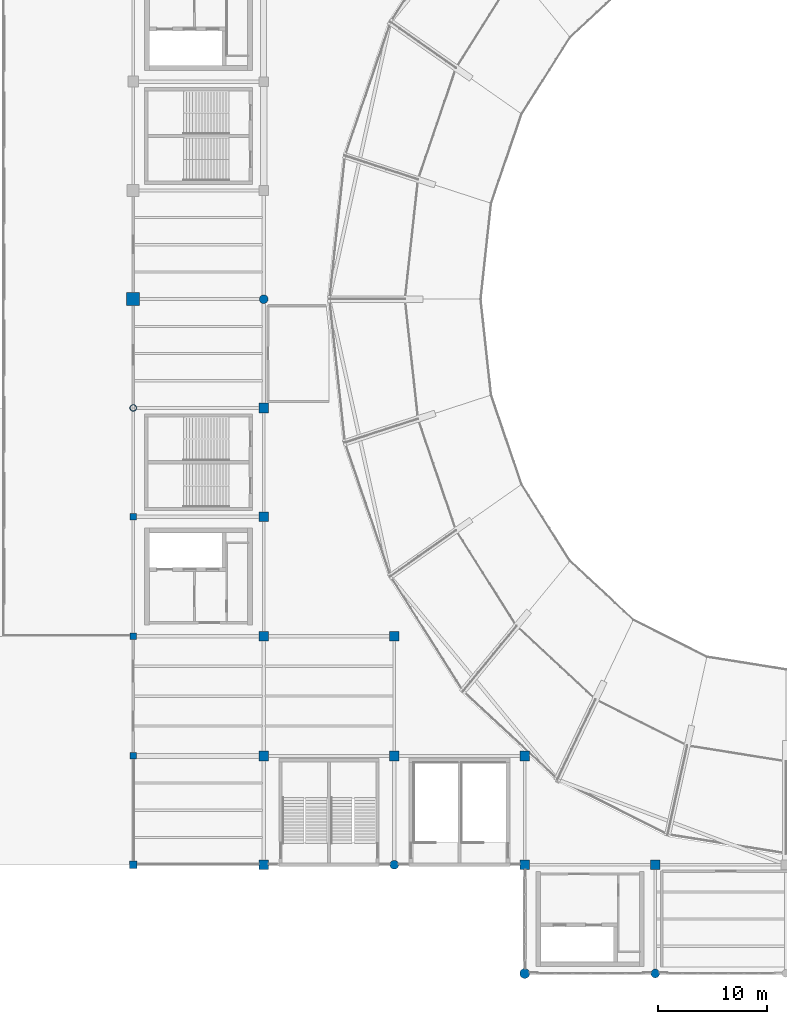
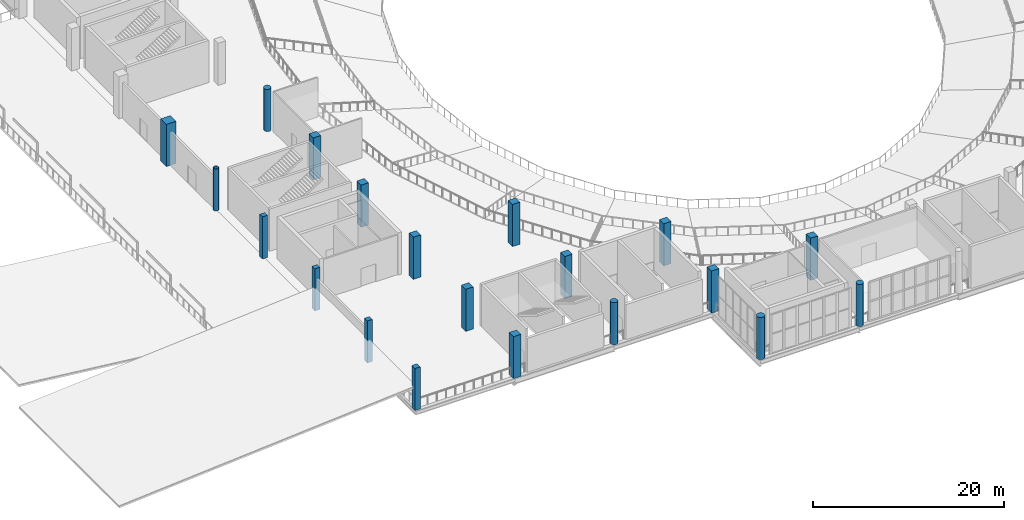
# One storey, part 1 of 74: 20 columns.
"""IFC4 building model written with IfcOpenShell, lengths in metres."""

from ifc_helpers import new_model, si_unit, direction, frame, origin, origin_2d, place, context, subcontext, project, spatial, rectangle, circle, hollow_circle, extrude, material, material_profile, profile_set, type_object, element, save


model = new_model("IFC4")

# Units and contexts
model_context = context("Model", 3, precision=1e-05, world=origin(), true_north=direction((0.0, 1.0)))
body_context = subcontext(model_context, "Body", "Model", "MODEL_VIEW")
ifc_project = project(units=[si_unit("LENGTHUNIT", "METRE"), si_unit("AREAUNIT", "SQUARE_METRE"), si_unit("VOLUMEUNIT", "CUBIC_METRE"), si_unit("PLANEANGLEUNIT", "RADIAN"), si_unit("MASSUNIT", "GRAM", prefix="KILO")], contexts=[model_context])

# Site, building, storey
site_placement = place(None, origin())
site = spatial("IfcSite", under=ifc_project, at=site_placement, CompositionType="ELEMENT")
building_placement = place(site_placement, origin())
building = spatial("IfcBuilding", under=site, at=building_placement, Name="Brinegate Civic Arena", CompositionType="ELEMENT")
storey_placement = place(building_placement, frame((0.0, 0.0, 19.199951171875)))
storey = spatial("IfcBuildingStorey", under=building, at=storey_placement, Name="L04", CompositionType="ELEMENT", Elevation=19.199951171875)

# Columns
ifc_material_1 = material(Name="Concrete C50/60", Category="concrete")
ifc_material_profile_1 = material_profile(ifc_material_1, rectangle(XDim=1.199951171875, YDim=1.199951171875, at=origin_2d()), Name="RC1200X1200")
ifc_profile_set_1 = profile_set([ifc_material_profile_1], Name="Concrete C50/60")
column_type_1 = type_object("IfcColumnType", Name="COL-CC01-1200", PredefinedType="COLUMN", material=ifc_profile_set_1)
column_1_placement = place(storey_placement, frame((48.0, 62.0, 0.0), z_axis=(0.0, 0.0, 1.0), x_axis=(1.0, 0.0, 0.0)))
element("IfcColumn", 1, at=column_1_placement, inside=storey, type_object=column_type_1, Name="Column COL-L04-5-G", PredefinedType="COLUMN", context=body_context, shape_type="SweptSolid", body=[
    extrude(rectangle(XDim=1.199951171875, YDim=1.199951171875, at=origin_2d()), origin(), (0.0, 0.0, 1.0), 5.400146484375),
])
ifc_material_profile_2 = material_profile(ifc_material_1, rectangle(XDim=0.89990234375, YDim=0.89990234375, at=origin_2d()), Name="RC900X900")
ifc_profile_set_2 = profile_set([ifc_material_profile_2], Name="Concrete C50/60")
column_type_2 = type_object("IfcColumnType", Name="COL-CC05-900", PredefinedType="COLUMN", material=ifc_profile_set_2)
for number, where, z_axis, x_axis, name in (
    (2, (60.0, 10.0, 0.0), (0.0, 0.0, 1.0), (1.0, 0.0, 0.0), "Column COL-L04-6-B"),
    (3, (60.0, 20.0, 0.0), (0.0, 0.0, 1.0), (1.0, 0.0, 0.0), "Column COL-L04-6-C"),
    (4, (60.0, 31.0, 0.0), (0.0, 0.0, 1.0), (1.0, 0.0, 0.0), "Column COL-L04-6-D"),
    (5, (60.0, 42.0, 0.0), (0.0, 0.0, 1.0), (1.0, 0.0, 0.0), "Column COL-L04-6-E"),
    (6, (60.0, 52.0, 0.0), (0.0, 0.0, 1.0), (1.0, 0.0, 0.0), "Column COL-L04-6-F"),
    (7, (72.0, 20.0, 0.0), (0.0, 0.0, 1.0), (1.0, 0.0, 0.0), "Column COL-L04-7-C"),
    (8, (72.0, 31.0, 0.0), (0.0, 0.0, 1.0), (1.0, 0.0, 0.0), "Column COL-L04-7-D"),
    (9, (84.0, 10.0, 0.0), (0.0, 0.0, 1.0), (1.0, 0.0, 0.0), "Column COL-L04-8-B"),
    (10, (84.0, 20.0, 0.0), (0.0, 0.0, 1.0), (1.0, 0.0, 0.0), "Column COL-L04-8-C"),
    (11, (96.0, 10.0, 0.0), (0.0, 0.0, 1.0), (1.0, 0.0, 0.0), "Column COL-L04-9-B"),
):
    element("IfcColumn", number, at=place(storey_placement, frame(where, z_axis=z_axis, x_axis=x_axis)), inside=storey, type_object=column_type_2, Name=name, PredefinedType="COLUMN", context=body_context, shape_type="SweptSolid", body=[
        extrude(rectangle(XDim=0.89990234375, YDim=0.89990234375, at=origin_2d()), origin(), (0.0, 0.0, 1.0), 5.400146484375),
    ])
ifc_material_profile_3 = material_profile(ifc_material_1, rectangle(XDim=0.64990234375, YDim=0.64990234375, at=origin_2d()), Name="RC650X650")
ifc_profile_set_3 = profile_set([ifc_material_profile_3], Name="Concrete C50/60")
column_type_3 = type_object("IfcColumnType", Name="COL-CC10-650", PredefinedType="COLUMN", material=ifc_profile_set_3)
column_2_placement = place(storey_placement, frame((48.0, 10.0, 0.0), z_axis=(0.0, 0.0, 1.0), x_axis=(1.0, 0.0, 0.0)))
element("IfcColumn", 12, at=column_2_placement, inside=storey, type_object=column_type_3, Name="Column COL-L04-5-B", PredefinedType="COLUMN", context=body_context, shape_type="SweptSolid", body=[
    extrude(rectangle(XDim=0.64990234375, YDim=0.64990234375, at=origin_2d()), origin(), (0.0, 0.0, 1.0), 5.400146484375),
])
ifc_material_profile_4 = material_profile(ifc_material_1, rectangle(XDim=0.60009765625, YDim=0.60009765625, at=origin_2d()), Name="RC600X600")
ifc_profile_set_4 = profile_set([ifc_material_profile_4], Name="Concrete C50/60")
column_type_4 = type_object("IfcColumnType", Name="COL-CC11-600", PredefinedType="COLUMN", material=ifc_profile_set_4)
for number, where, z_axis, x_axis, name in (
    (13, (48.0, 20.0, 0.0), (0.0, 0.0, 1.0), (1.0, 0.0, 0.0), "Column COL-L04-5-C"),
    (14, (48.0, 31.0, 0.0), (0.0, 0.0, 1.0), (1.0, 0.0, 0.0), "Column COL-L04-5-D"),
    (15, (48.0, 42.0, 0.0), (0.0, 0.0, 1.0), (1.0, 0.0, 0.0), "Column COL-L04-5-E"),
):
    element("IfcColumn", number, at=place(storey_placement, frame(where, z_axis=z_axis, x_axis=x_axis)), inside=storey, type_object=column_type_4, Name=name, PredefinedType="COLUMN", context=body_context, shape_type="SweptSolid", body=[
        extrude(rectangle(XDim=0.60009765625, YDim=0.60009765625, at=origin_2d()), origin(), (0.0, 0.0, 1.0), 5.400146484375),
    ])
ifc_material_profile_5 = material_profile(ifc_material_1, circle(Radius=0.449951171875, at=origin_2d()), Name="RCD900")
ifc_profile_set_5 = profile_set([ifc_material_profile_5], Name="Concrete C50/60")
column_type_5 = type_object("IfcColumnType", Name="COL-CC12-D900", PredefinedType="COLUMN", material=ifc_profile_set_5)
column_3_placement = place(storey_placement, frame((84.0, 0.0, 0.0), z_axis=(0.0, 0.0, 1.0), x_axis=(1.0, 0.0, 0.0)))
element("IfcColumn", 16, at=column_3_placement, inside=storey, type_object=column_type_5, Name="Column COL-L04-8-A", PredefinedType="COLUMN", context=body_context, shape_type="SweptSolid", body=[
    extrude(circle(Radius=0.449951171875, at=origin_2d()), origin(), (0.0, 0.0, 1.0), 5.400146484375),
])
ifc_material_profile_6 = material_profile(ifc_material_1, circle(Radius=0.39990234375, at=origin_2d()), Name="RCD800")
ifc_profile_set_6 = profile_set([ifc_material_profile_6], Name="Concrete C50/60")
column_type_6 = type_object("IfcColumnType", Name="COL-CC13-D800", PredefinedType="COLUMN", material=ifc_profile_set_6)
for number, where, z_axis, x_axis, name in (
    (17, (60.0, 62.0, 0.0), (0.0, 0.0, 1.0), (1.0, 0.0, 0.0), "Column COL-L04-6-G"),
    (18, (72.0, 10.0, 0.0), (0.0, 0.0, 1.0), (1.0, 0.0, 0.0), "Column COL-L04-7-B"),
    (19, (96.0, 0.0, 0.0), (0.0, 0.0, 1.0), (1.0, 0.0, 0.0), "Column COL-L04-9-A"),
):
    element("IfcColumn", number, at=place(storey_placement, frame(where, z_axis=z_axis, x_axis=x_axis)), inside=storey, type_object=column_type_6, Name=name, PredefinedType="COLUMN", context=body_context, shape_type="SweptSolid", body=[
        extrude(circle(Radius=0.39990234375, at=origin_2d()), origin(), (0.0, 0.0, 1.0), 5.400146484375),
    ])
ifc_material_2 = material(Name="Steel S355", Category="steel")
ifc_material_profile_7 = material_profile(ifc_material_2, hollow_circle(Radius=0.304931640625, WallThickness=0.02490234375, at=origin_2d()), Name="CHS610X25")
ifc_profile_set_7 = profile_set([ifc_material_profile_7], Name="Steel S355")
column_type_7 = type_object("IfcColumnType", Name="COL-SC05-CHS610", PredefinedType="COLUMN", material=ifc_profile_set_7)
column_4_placement = place(storey_placement, frame((48.0, 52.0, 0.0), z_axis=(0.0, 0.0, 1.0), x_axis=(1.0, 0.0, 0.0)))
element("IfcColumn", 20, at=column_4_placement, inside=storey, type_object=column_type_7, Name="Column COL-L04-5-F", PredefinedType="COLUMN", context=body_context, shape_type="SweptSolid", body=[
    extrude(hollow_circle(Radius=0.304931640625, WallThickness=0.02490234375, at=origin_2d()), origin(), (0.0, 0.0, 1.0), 5.400146484375),
])

save(model, "model.ifc")
